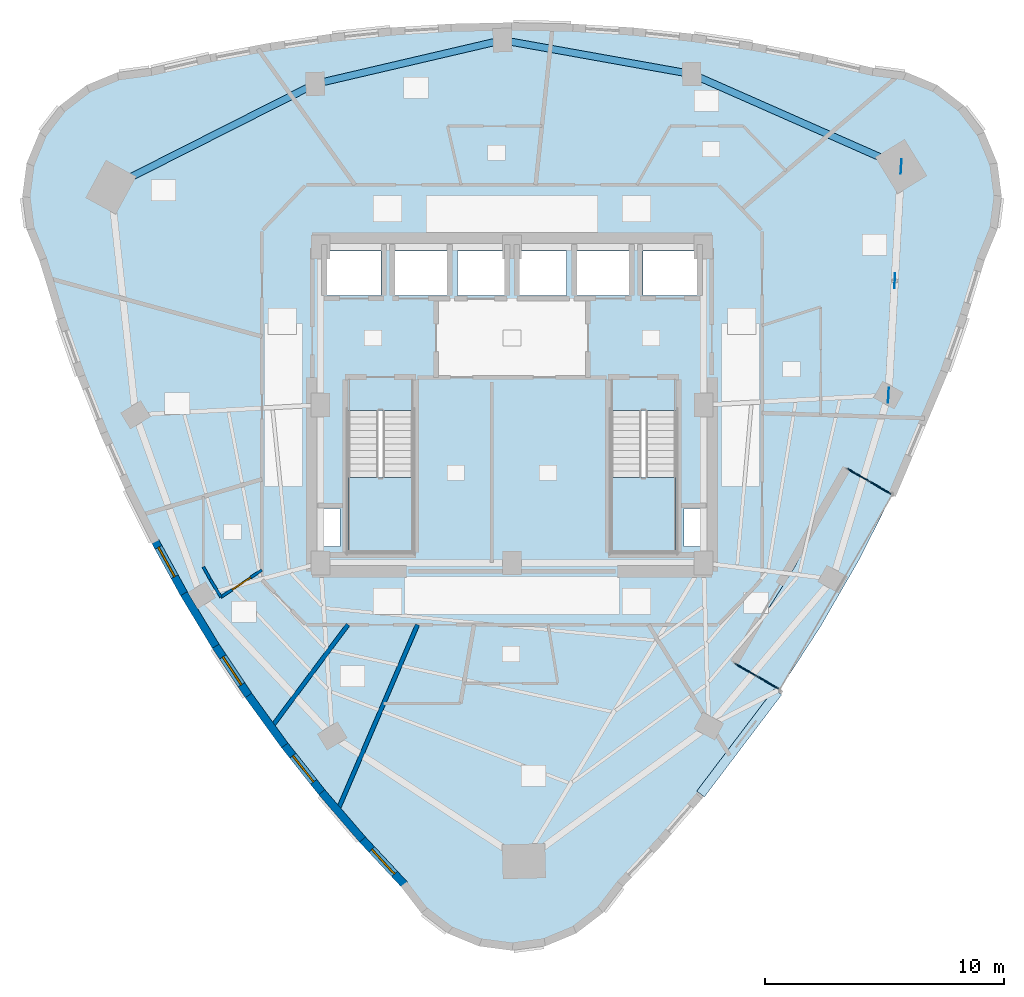
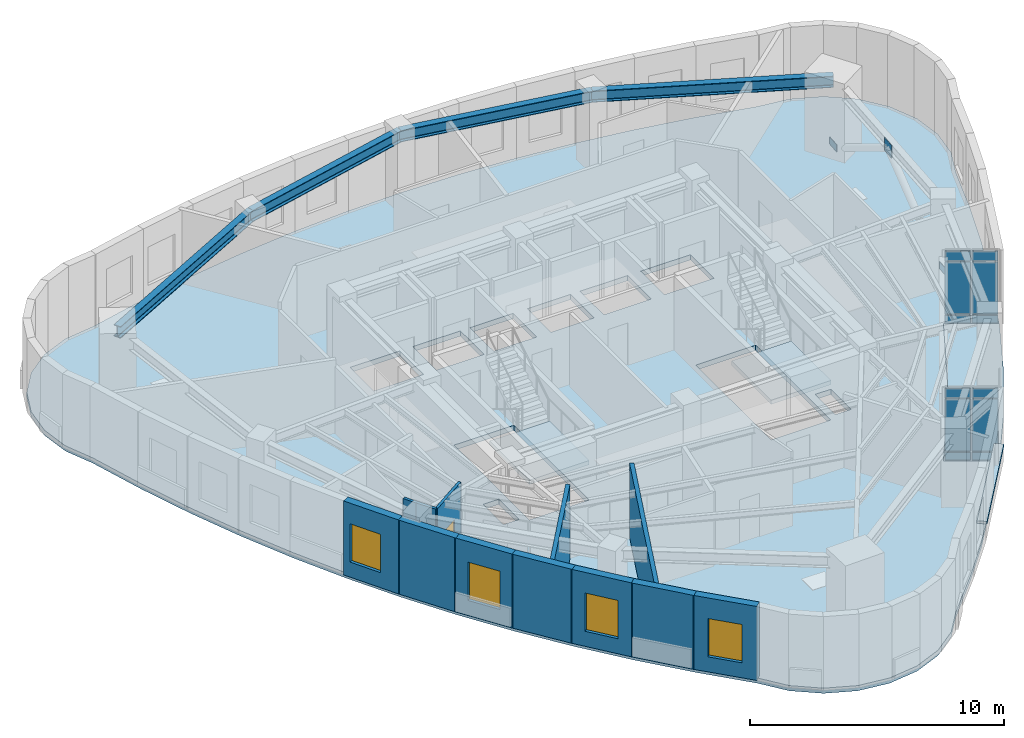
# One storey, part 5 of 12: 16 plates, 12 walls, 4 beams, 4 slabs, 4 windows, 1 door, 5 openings, 4 elements without a shape of their own.
"""IFC4 building model written with IfcOpenShell, lengths in metres."""

from ifc_helpers import new_model, si_unit, direction, frame, frame_2d, origin, origin_2d, place, context, subcontext, project, spatial, polyline, rectangle, i_section, outline, extrude, material, layer, layer_set, material_profile, profile_set, type_object, element, fill, aggregate, save


model = new_model("IFC4")

# Units and contexts
model_context = context("Model", 3, precision=1e-05, world=origin(), true_north=direction((0.0, 1.0)))
body_context = subcontext(model_context, "Body", "Model", "MODEL_VIEW")
ifc_project = project(units=[si_unit("LENGTHUNIT", "METRE"), si_unit("AREAUNIT", "SQUARE_METRE"), si_unit("VOLUMEUNIT", "CUBIC_METRE"), si_unit("PLANEANGLEUNIT", "RADIAN"), si_unit("MASSUNIT", "GRAM", prefix="KILO")], contexts=[model_context])

# Site, building, storey
site_placement = place(None, origin())
site = spatial("IfcSite", under=ifc_project, at=site_placement, CompositionType="ELEMENT")
building_placement = place(site_placement, origin())
building = spatial("IfcBuilding", under=site, at=building_placement, Name="Ndelora Gate Hotel", CompositionType="ELEMENT")
storey_placement = place(building_placement, frame((0.0, 0.0, 213.14990234375)))
storey = spatial("IfcBuildingStorey", under=building, at=storey_placement, Name="L53", CompositionType="ELEMENT", Elevation=213.14990234375)

# Beams
ifc_material_1 = material(Name="Steel S355", Category="steel")
ifc_material_profile = material_profile(ifc_material_1, i_section(OverallWidth=0.300048828125, OverallDepth=0.550048828125, WebThickness=0.014892578125, FlangeThickness=0.029052734375, FilletRadius=0.027099609375, at=origin_2d()), Name="HEB 550")
ifc_profile_set = profile_set([ifc_material_profile], Name="Steel S355")
beam_type = type_object("IfcBeamType", Name="BM-RING-550", PredefinedType="SPANDREL", material=ifc_profile_set)
beam_1_placement = place(storey_placement, frame((16.26025390625, 9.96435546875, 3.275146484375), z_axis=(-0.914807449647, 0.403890245078, 0.0), x_axis=(-0.403890245078, -0.914807449647, 0.0)))
element("IfcBeam", 1, at=beam_1_placement, inside=storey, type_object=beam_type, Name="L53 Perimeter Spandrel Girder 9", PredefinedType="SPANDREL", context=body_context, shape_type="SweptSolid", body=[
    extrude(i_section(OverallWidth=0.300048828125, OverallDepth=0.550048828125, WebThickness=0.014892578125, FlangeThickness=0.029052734375, FilletRadius=0.027099609375, at=origin_2d()), origin(), (0.0, 0.0, 1.0), 9.56689453125),
])
for number, where, z_axis, x_axis, name in (
    (2, (7.50830078125, 13.828369140625, 3.275146484375), (-0.984373619655, 0.176092523767, 0.0), (-0.176092523767, -0.984373619655, 0.0), "L53 Perimeter Spandrel Girder 10"),
    (3, (-0.399169921875, 15.242919921875, 3.275146484375), (-0.973809142107, -0.227367004529, 0.0), (0.227367004529, -0.973809142107, 0.0), "L53 Perimeter Spandrel Girder 11"),
):
    element("IfcBeam", number, at=place(storey_placement, frame(where, z_axis=z_axis, x_axis=x_axis)), inside=storey, type_object=beam_type, Name=name, PredefinedType="SPANDREL", context=body_context, shape_type="SweptSolid", body=[
        extrude(i_section(OverallWidth=0.300048828125, OverallDepth=0.550048828125, WebThickness=0.014892578125, FlangeThickness=0.029052734375, FilletRadius=0.027099609375, at=origin_2d()), origin(), (0.0, 0.0, 1.0), 8.032958984375),
    ])
beam_2_placement = place(storey_placement, frame((-8.2216796875, 13.41650390625, 3.275146484375), z_axis=(-0.89241242978, -0.451220628045, 0.0), x_axis=(0.451220628045, -0.89241242978, 0.0)))
element("IfcBeam", 4, at=beam_2_placement, inside=storey, type_object=beam_type, Name="L53 Perimeter Spandrel Girder 12", PredefinedType="SPANDREL", context=body_context, shape_type="SweptSolid", body=[
    extrude(i_section(OverallWidth=0.300048828125, OverallDepth=0.550048828125, WebThickness=0.014892578125, FlangeThickness=0.029052734375, FilletRadius=0.027099609375, at=origin_2d()), origin(), (0.0, 0.0, 1.0), 9.567138671875),
])

# Curtain wall, plates
ifc_material_2 = material(Name="Bronze Anodised Unitised Aluminium and Low-E Glass", Category="aluminium")
ifc_layer_1 = layer(ifc_material_2, 0.199951171875)
ifc_layer_set_1 = layer_set([ifc_layer_1], Name="Bronze Anodised Unitised Aluminium and Low-E Glass")
curtain_wall_type = type_object("IfcCurtainWallType", Name="CW-SYS-3", PredefinedType="NOTDEFINED", material=ifc_layer_set_1)
curtain_wall_1_placement = place(storey_placement, origin())
curtain_wall_1 = element("IfcCurtainWall", 5, at=curtain_wall_1_placement, inside=storey, type_object=curtain_wall_type, Name="L53 Sky-Garden Loggia Side Curtain Wall CW3-1", PredefinedType="NOTDEFINED")
ifc_material_3 = material(Name="Solar-Control Low-E Insulated Glazing", Category="glass")
ifc_layer_2 = layer(ifc_material_3, 0.048095703125)
ifc_layer_set_2 = layer_set([ifc_layer_2], Name="Solar-Control Low-E Insulated Glazing")
plate_type_1 = type_object("IfcPlateType", Name="PL-CW-GLZ36", PredefinedType="CURTAIN_PANEL", material=ifc_layer_set_2)
plate_1_placement = place(storey_placement, frame((9.77099609375, -11.068359375, 0.05908203125), z_axis=(0.0, 0.0, 1.0), x_axis=(0.866030416344, -0.499991317892, 0.0)))
plate_1 = element("IfcPlate", 6, at=plate_1_placement, type_object=plate_type_1, Name="CW3 panel 1.1", PredefinedType="CURTAIN_PANEL", context=body_context, shape_type="SweptSolid", body=[
    extrude(rectangle(XDim=1.014404296875, YDim=0.048095703125, at=origin_2d()), origin(), (0.0, 0.0, 1.0), 0.364501953125),
])
plate_2_placement = place(storey_placement, frame((9.77099609375, -11.068359375, 0.4765625), z_axis=(0.0, 0.0, 1.0), x_axis=(0.866030416344, -0.499991317892, 0.0)))
plate_2 = element("IfcPlate", 7, at=plate_2_placement, type_object=plate_type_1, Name="CW3 panel 1.2", PredefinedType="CURTAIN_PANEL", context=body_context, shape_type="SweptSolid", body=[
    extrude(rectangle(XDim=1.014404296875, YDim=0.048095703125, at=origin_2d()), origin(), (0.0, 0.0, 1.0), 2.4970703125),
])
plate_3_placement = place(storey_placement, frame((9.77099609375, -11.068359375, 3.0263671875), z_axis=(0.0, 0.0, 1.0), x_axis=(0.866030416344, -0.499991317892, 0.0)))
plate_3 = element("IfcPlate", 8, at=plate_3_placement, type_object=plate_type_1, Name="CW3 panel 1.3", PredefinedType="CURTAIN_PANEL", context=body_context, shape_type="SweptSolid", body=[
    extrude(rectangle(XDim=1.014404296875, YDim=0.048095703125, at=origin_2d()), origin(), (0.0, 0.0, 1.0), 0.464599609375),
])
plate_4_placement = place(storey_placement, frame((10.695556640625, -11.602294921875, 0.05908203125), z_axis=(0.0, 0.0, 1.0), x_axis=(0.866030416344, -0.499991317892, 0.0)))
plate_4 = element("IfcPlate", 9, at=plate_4_placement, type_object=plate_type_1, Name="CW3 panel 2.1", PredefinedType="CURTAIN_PANEL", context=body_context, shape_type="SweptSolid", body=[
    extrude(rectangle(XDim=1.014404296875, YDim=0.048095703125, at=origin_2d()), origin(), (0.0, 0.0, 1.0), 0.364501953125),
])
plate_5_placement = place(storey_placement, frame((10.695556640625, -11.602294921875, 0.4765625), z_axis=(0.0, 0.0, 1.0), x_axis=(0.866030416344, -0.499991317892, 0.0)))
plate_5 = element("IfcPlate", 10, at=plate_5_placement, type_object=plate_type_1, Name="CW3 panel 2.2", PredefinedType="CURTAIN_PANEL", context=body_context, shape_type="SweptSolid", body=[
    extrude(rectangle(XDim=1.014404296875, YDim=0.048095703125, at=origin_2d()), origin(), (0.0, 0.0, 1.0), 2.4970703125),
])
plate_6_placement = place(storey_placement, frame((10.695556640625, -11.602294921875, 3.0263671875), z_axis=(0.0, 0.0, 1.0), x_axis=(0.866030416344, -0.499991317892, 0.0)))
plate_6 = element("IfcPlate", 11, at=plate_6_placement, type_object=plate_type_1, Name="CW3 panel 2.3", PredefinedType="CURTAIN_PANEL", context=body_context, shape_type="SweptSolid", body=[
    extrude(rectangle(XDim=1.014404296875, YDim=0.048095703125, at=origin_2d()), origin(), (0.0, 0.0, 1.0), 0.464599609375),
])
aggregate(curtain_wall_1, [plate_1, plate_2, plate_3, plate_4, plate_5, plate_6])

curtain_wall_2_placement = place(storey_placement, origin())
curtain_wall_2 = element("IfcCurtainWall", 12, at=curtain_wall_2_placement, inside=storey, type_object=curtain_wall_type, Name="L53 Sky-Garden Loggia Side Curtain Wall CW3-2", PredefinedType="NOTDEFINED")
plate_7_placement = place(storey_placement, frame((15.3955078125, -3.46142578125, 0.05908203125), z_axis=(0.0, 0.0, 1.0), x_axis=(-0.866030416344, 0.499991317892, 0.0)))
plate_7 = element("IfcPlate", 13, at=plate_7_placement, type_object=plate_type_1, Name="CW3 panel 1.1", PredefinedType="CURTAIN_PANEL", context=body_context, shape_type="SweptSolid", body=[
    extrude(rectangle(XDim=1.014404296875, YDim=0.048095703125, at=origin_2d()), origin(), (0.0, 0.0, 1.0), 0.364501953125),
])
plate_8_placement = place(storey_placement, frame((15.3955078125, -3.46142578125, 0.4765625), z_axis=(0.0, 0.0, 1.0), x_axis=(-0.866030416344, 0.499991317892, 0.0)))
plate_8 = element("IfcPlate", 14, at=plate_8_placement, type_object=plate_type_1, Name="CW3 panel 1.2", PredefinedType="CURTAIN_PANEL", context=body_context, shape_type="SweptSolid", body=[
    extrude(rectangle(XDim=1.014404296875, YDim=0.048095703125, at=origin_2d()), origin(), (0.0, 0.0, 1.0), 2.4970703125),
])
plate_9_placement = place(storey_placement, frame((15.3955078125, -3.46142578125, 3.0263671875), z_axis=(0.0, 0.0, 1.0), x_axis=(-0.866030416344, 0.499991317892, 0.0)))
plate_9 = element("IfcPlate", 15, at=plate_9_placement, type_object=plate_type_1, Name="CW3 panel 1.3", PredefinedType="CURTAIN_PANEL", context=body_context, shape_type="SweptSolid", body=[
    extrude(rectangle(XDim=1.014404296875, YDim=0.048095703125, at=origin_2d()), origin(), (0.0, 0.0, 1.0), 0.464599609375),
])
plate_10_placement = place(storey_placement, frame((14.470947265625, -2.927734375, 0.05908203125), z_axis=(0.0, 0.0, 1.0), x_axis=(-0.866030416344, 0.499991317892, 0.0)))
plate_10 = element("IfcPlate", 16, at=plate_10_placement, type_object=plate_type_1, Name="CW3 panel 2.1", PredefinedType="CURTAIN_PANEL", context=body_context, shape_type="SweptSolid", body=[
    extrude(rectangle(XDim=1.014404296875, YDim=0.048095703125, at=origin_2d()), origin(), (0.0, 0.0, 1.0), 0.364501953125),
])
plate_11_placement = place(storey_placement, frame((14.470947265625, -2.927734375, 0.4765625), z_axis=(0.0, 0.0, 1.0), x_axis=(-0.866030416344, 0.499991317892, 0.0)))
plate_11 = element("IfcPlate", 17, at=plate_11_placement, type_object=plate_type_1, Name="CW3 panel 2.2", PredefinedType="CURTAIN_PANEL", context=body_context, shape_type="SweptSolid", body=[
    extrude(rectangle(XDim=1.014404296875, YDim=0.048095703125, at=origin_2d()), origin(), (0.0, 0.0, 1.0), 2.4970703125),
])
plate_12_placement = place(storey_placement, frame((14.470947265625, -2.927734375, 3.0263671875), z_axis=(0.0, 0.0, 1.0), x_axis=(-0.866030416344, 0.499991317892, 0.0)))
plate_12 = element("IfcPlate", 18, at=plate_12_placement, type_object=plate_type_1, Name="CW3 panel 2.3", PredefinedType="CURTAIN_PANEL", context=body_context, shape_type="SweptSolid", body=[
    extrude(rectangle(XDim=1.014404296875, YDim=0.048095703125, at=origin_2d()), origin(), (0.0, 0.0, 1.0), 0.464599609375),
])
aggregate(curtain_wall_2, [plate_7, plate_8, plate_9, plate_10, plate_11, plate_12])

# Plates
ifc_layer_3 = layer(ifc_material_1, 0.02001953125)
ifc_layer_set_3 = layer_set([ifc_layer_3], Name="Steel S355")
plate_type_2 = type_object("IfcPlateType", Name="PL-NODE-VN1", PredefinedType="USERDEFINED", material=ifc_layer_set_3)
for number, where, z_axis, x_axis, name in (
    (19, (15.72998046875, 0.411865234375, -0.2900390625), (0.0, 0.0, 1.0), (0.055472980025, 0.998460188734, 0.0), "Node gusset cap plate VN1"),
    (20, (16.26025390625, 9.96435546875, -0.2900390625), (0.0, 0.0, 1.0), (0.055472980025, 0.998460188734, 0.0), "Node gusset cap plate VN1"),
    (21, (15.9951171875, 5.18798828125, 2.68994140625), (0.0, 0.0, 1.0), (0.055472980025, 0.998460188734, 0.0), "Node gusset cap plate VN1"),
):
    element("IfcPlate", number, at=place(storey_placement, frame(where, z_axis=z_axis, x_axis=x_axis)), inside=storey, type_object=plate_type_2, Name=name, ObjectType="GUSSET_PLATE", PredefinedType="USERDEFINED", context=body_context, shape_type="SweptSolid", body=[
        extrude(rectangle(XDim=0.6201171875, YDim=0.02001953125, at=origin_2d()), origin(), (0.0, 0.0, 1.0), 0.6201171875),
    ])
ifc_material_4 = material(Name="Precast concrete C40/50", Category="concrete")
ifc_layer_4 = layer(ifc_material_4, 0.125)
ifc_layer_set_4 = layer_set([ifc_layer_4], Name="Precast concrete C40/50")
plate_type_3 = type_object("IfcPlateType", Name="PL-SILL-120", PredefinedType="USERDEFINED", material=ifc_layer_set_4)
plate_13_placement = place(storey_placement, frame((9.494384765625, -14.120849609375, 0.78759765625), z_axis=(0.0, 0.0, 1.0), x_axis=(0.603347183213, 0.797478637023, 0.0)))
element("IfcPlate", 22, at=plate_13_placement, inside=storey, type_object=plate_type_3, Name="L53 Streamline Precast Ribbon Sill 31", ObjectType="RIBBON_SILL", PredefinedType="USERDEFINED", context=body_context, shape_type="SweptSolid", body=[
    extrude(rectangle(XDim=5.35693359375, YDim=0.39990234375, at=origin_2d()), origin(), (0.0, 0.0, 1.0), 0.125),
])

# Stair, slab
stair_type = type_object("IfcStairType", Name="STR-DOG-CORE", PredefinedType="HALF_TURN_STAIR", material=ifc_material_4)
stair_1_placement = place(storey_placement, origin())
stair_1 = element("IfcStair", 23, at=stair_1_placement, inside=storey, type_object=stair_type, Name="L53 Protected Core Exit Stair ST4", PredefinedType="HALF_TURN_STAIR")
ifc_layer_5 = layer(ifc_material_4, 0.219970703125)
ifc_layer_set_5 = layer_set([ifc_layer_5], Name="Precast concrete C40/50")
slab_type_1 = type_object("IfcSlabType", Name="SL-LAND-220", PredefinedType="LANDING", material=ifc_layer_set_5)
slab_1_placement = place(storey_placement, frame((0.0, 0.0, 1.7001953125)))
slab_1 = element("IfcSlab", 24, at=slab_1_placement, type_object=slab_type_1, Name="ST4 landing 1", PredefinedType="LANDING", context=body_context, shape_type="SweptSolid", body=[
    extrude(outline(polyline([(-6.85009765625, -3.030029296875), (-6.85009765625, -6.14990234375), (-4.1298828125, -6.14990234375), (-4.1298828125, -3.030029296875), (-6.85009765625, -3.030029296875)])), origin(), (0.0, 0.0, 1.0), 0.199951171875),
])
aggregate(stair_1, [slab_1])

stair_2_placement = place(storey_placement, origin())
stair_2 = element("IfcStair", 25, at=stair_2_placement, inside=storey, type_object=stair_type, Name="L53 Protected Core Exit Stair ST5", PredefinedType="HALF_TURN_STAIR")
slab_2_placement = place(storey_placement, frame((0.0, 0.0, 1.7001953125)))
slab_2 = element("IfcSlab", 26, at=slab_2_placement, type_object=slab_type_1, Name="ST5 landing 1", PredefinedType="LANDING", context=body_context, shape_type="SweptSolid", body=[
    extrude(outline(polyline([(4.1298828125, -3.030029296875), (4.1298828125, -6.14990234375), (6.85009765625, -6.14990234375), (6.85009765625, -3.030029296875), (4.1298828125, -3.030029296875)])), origin(), (0.0, 0.0, 1.0), 0.199951171875),
])
aggregate(stair_2, [slab_2])

# Slabs
ifc_layer_6 = layer(ifc_material_4, 0.239990234375)
ifc_layer_set_6 = layer_set([ifc_layer_6], Name="Precast concrete C40/50")
slab_type_2 = type_object("IfcSlabType", Name="SL-TER-240", PredefinedType="FLOOR", material=ifc_layer_set_6)
slab_3_placement = place(storey_placement, frame((0.0, 0.0, -0.239990234375)))
element("IfcSlab", 27, at=slab_3_placement, inside=storey, type_object=slab_type_2, Name="L53 Sky Garden Loggia Terrace Slab", PredefinedType="FLOOR", context=body_context, shape_type="SweptSolid", body=[
    extrude(outline(polyline([(9.280517578125, -10.785400390625), (11.185791015625, -11.88525390625), (12.8779296875, -9.2802734375), (14.47607421875, -6.512451171875), (15.885986328125, -3.74462890625), (13.980712890625, -2.64453125), (11.790283203125, -6.80712890625), (9.280517578125, -10.785400390625)])), origin(), (0.0, 0.0, 1.0), 0.239990234375),
])
ifc_material_5 = material(Name="Concrete C40/50", Category="concrete")
ifc_layer_7 = layer(ifc_material_5, 0.25)
ifc_layer_set_7 = layer_set([ifc_layer_7], Name="Concrete C40/50")
slab_type_3 = type_object("IfcSlabType", Name="SL-TWR-250", PredefinedType="FLOOR", material=ifc_layer_set_7)
slab_4_placement = place(storey_placement, frame((0.0, 0.0, -0.25)))
element("IfcSlab", 28, at=slab_4_placement, inside=storey, type_object=slab_type_3, Name="L53 Structural Floor Slab", PredefinedType="FLOOR", context=body_context, shape_type="SweptSolid", body=[
    extrude(outline(polyline([(-15.09326171875, 13.9140625), (-16.439208984375, 13.737060546875), (-17.693359375, 13.217529296875), (-18.770263671875, 12.39111328125), (-19.5966796875, 11.314208984375), (-20.1162109375, 10.06005859375), (-20.293212890625, 8.714111328125), (-20.1162109375, 7.368408203125), (-19.5966796875, 6.114013671875), (-18.841796875, 3.645263671875), (-17.9951171875, 1.229248046875), (-17.057373046875, -1.134033203125), (-16.0283203125, -3.4443359375), (-14.907470703125, -5.7021484375), (-13.6953125, -7.906982421875), (-12.39208984375, -10.05908203125), (-10.9970703125, -12.15869140625), (-9.5107421875, -14.205078125), (-7.93310546875, -16.198974609375), (-6.263916015625, -18.139892578125), (-4.50341796875, -20.0283203125), (-3.677001953125, -21.105224609375), (-2.60009765625, -21.931640625), (-1.345947265625, -22.451171875), (0.0, -22.62841796875), (1.345947265625, -22.451171875), (2.60009765625, -21.931640625), (3.677001953125, -21.105224609375), (4.50341796875, -20.0283203125), (6.1953125, -18.216552734375), (7.802978515625, -16.356201171875), (11.185791015625, -11.88525390625), (9.280517578125, -10.785400390625), (11.790283203125, -6.80712890625), (13.980712890625, -2.64453125), (15.885986328125, -3.74462890625), (18.06640625, 1.420654296875), (18.87353515625, 3.7431640625), (19.5966796875, 6.114013671875), (20.1162109375, 7.368408203125), (20.293212890625, 8.714111328125), (20.1162109375, 10.06005859375), (19.5966796875, 11.314208984375), (18.770263671875, 12.39111328125), (17.693359375, 13.217529296875), (16.439208984375, 13.737060546875), (15.09326171875, 13.9140625), (12.577880859375, 14.49462890625), (10.062255859375, 14.9697265625), (7.546630859375, 15.339111328125), (5.031005859375, 15.60302734375), (2.515625, 15.761474609375), (0.0, 15.814208984375), (-2.515625, 15.761474609375), (-5.031005859375, 15.60302734375), (-7.546630859375, 15.339111328125), (-10.062255859375, 14.9697265625), (-12.577880859375, 14.49462890625), (-15.09326171875, 13.9140625)]), holes=[polyline([(-6.85009765625, -0.22998046875), (-6.85009765625, -6.14990234375), (-4.1298828125, -6.14990234375), (-4.1298828125, -0.22998046875), (-6.85009765625, -0.22998046875)]), polyline([(4.1298828125, -0.22998046875), (4.1298828125, -6.14990234375), (6.85009765625, -6.14990234375), (6.85009765625, -0.22998046875), (4.1298828125, -0.22998046875)]), polyline([(-7.72998046875, 4.570068359375), (-5.469970703125, 4.570068359375), (-5.469970703125, 6.429931640625), (-7.72998046875, 6.429931640625), (-7.72998046875, 4.570068359375)]), polyline([(5.469970703125, 4.570068359375), (7.72998046875, 4.570068359375), (7.72998046875, 6.429931640625), (5.469970703125, 6.429931640625), (5.469970703125, 4.570068359375)]), polyline([(-4.8798828125, 4.570068359375), (-2.719970703125, 4.570068359375), (-2.719970703125, 6.429931640625), (-4.8798828125, 6.429931640625), (-4.8798828125, 4.570068359375)]), polyline([(2.719970703125, 4.570068359375), (4.8798828125, 4.570068359375), (4.8798828125, 6.429931640625), (2.719970703125, 6.429931640625), (2.719970703125, 4.570068359375)]), polyline([(-2.280029296875, 4.570068359375), (-0.320068359375, 4.570068359375), (-0.320068359375, 6.429931640625), (-2.280029296875, 6.429931640625), (-2.280029296875, 4.570068359375)]), polyline([(0.320068359375, 4.570068359375), (2.280029296875, 4.570068359375), (2.280029296875, 6.429931640625), (0.320068359375, 6.429931640625), (0.320068359375, 4.570068359375)]), polyline([(-7.89990234375, -5.919921875), (-7.179931640625, -5.919921875), (-7.179931640625, -4.320068359375), (-7.89990234375, -4.320068359375), (-7.89990234375, -5.919921875)]), polyline([(7.179931640625, -5.919921875), (7.89990234375, -5.919921875), (7.89990234375, -4.320068359375), (7.179931640625, -4.320068359375), (7.179931640625, -5.919921875)])]), origin(), (0.0, 0.0, 1.0), 0.25),
])

# Walls
ifc_material_6 = material(Name="Acoustic Double-Stud Gypsum Assembly", Category="gypsum")
ifc_layer_8 = layer(ifc_material_6, 0.179931640625)
ifc_layer_set_8 = layer_set([ifc_layer_8], Name="Acoustic Double-Stud Gypsum Assembly")
wall_type_1 = type_object("IfcWallType", Name="WL-ACOUST-180", PredefinedType="PARTITIONING", material=ifc_layer_set_8)
wall_1_placement = place(storey_placement, frame((-6.851318359375, -9.179931640625, 0.0), z_axis=(0.0, 0.0, 1.0), x_axis=(-0.598105864396, -0.801417104244, 0.0)))
element("IfcWall", 29, at=wall_1_placement, inside=storey, type_object=wall_type_1, Name="L53 Interior Wall IW-3", PredefinedType="PARTITIONING", context=body_context, shape_type="SweptSolid", body=[
    extrude(rectangle(XDim=5.345947265625, YDim=0.179931640625, at=frame_2d((2.6728515625, 0.0))), origin(), (0.0, 0.0, 1.0), 3.550048828125),
])
wall_2_placement = place(storey_placement, frame((-3.947021484375, -9.179931640625, 0.0), z_axis=(0.0, 0.0, 1.0), x_axis=(-0.394985116266, -0.918687519197, 0.0)))
element("IfcWall", 30, at=wall_2_placement, inside=storey, type_object=wall_type_1, Name="L53 Interior Wall IW-3", PredefinedType="PARTITIONING", context=body_context, shape_type="SweptSolid", body=[
    extrude(rectangle(XDim=8.45751953125, YDim=0.179931640625, at=frame_2d((4.228759765625, 0.0))), origin(), (0.0, 0.0, 1.0), 3.550048828125),
])

# Wall, opening, window
ifc_material_7 = material(Name="Clay Brick Masonry", Category="masonry")
ifc_layer_9 = layer(ifc_material_7, 0.330078125)
ifc_layer_set_9 = layer_set([ifc_layer_9], Name="Clay Brick Masonry")
wall_type_2 = type_object("IfcWallType", Name="WL-BRICK-330", PredefinedType="SOLIDWALL", material=ifc_layer_set_9)
wall_3_placement = place(storey_placement, frame((-13.683349609375, -7.928955078125, 0.0), z_axis=(0.0, 0.0, 1.0), x_axis=(-0.481695948565, 0.87633841245, 0.0)))
wall_3 = element("IfcWall", 31, at=wall_3_placement, inside=storey, type_object=wall_type_2, Name="L53 Tower Brick Pier-and-Spandrel Wall TWR-14", PredefinedType="SOLIDWALL", context=body_context, shape_type="SweptSolid", body=[
    extrude(rectangle(XDim=2.566162109375, YDim=0.330078125, at=frame_2d((1.283203125, 0.0))), origin(), (0.0, 0.0, 1.0), 3.550048828125),
])
opening_1_placement = place(wall_3_placement, frame((0.860107421875, 0.0, 0.719970703125)))
opening_1 = element("IfcOpeningElement", 32, at=opening_1_placement, cuts=wall_3, Name="Opening W02", PredefinedType="OPENING", context=body_context, shape_type="SweptSolid", body=[
    extrude(rectangle(XDim=1.39990234375, YDim=1.840087890625, at=frame_2d((0.699951171875, 0.919921875))), frame((0.0, 0.175048828125, 0.0), z_axis=(0.0, -1.0, 0.0), x_axis=(1.0, 0.0, 0.0)), (0.0, 0.0, 1.0), 0.35009765625),
])
ifc_material_8 = material(Name="Insulated Low-E Double Glazing in Bronze Aluminium Frame", Category="aluminium")
window_type = type_object("IfcWindowType", Name="WN-DEEP-1400", PartitioningType="SINGLE_PANEL", PredefinedType="WINDOW", material=ifc_material_8)
window_1_placement = place(opening_1_placement, origin())
window_1 = element("IfcWindow", 33, at=window_1_placement, inside=storey, type_object=window_type, Name="L53 Deep-Set Brick-Pier Window W02", OverallHeight=1.840087890625, OverallWidth=1.39990234375, PartitioningType="SINGLE_PANEL", PredefinedType="WINDOW", context=body_context, shape_type="SweptSolid", body=[
    extrude(rectangle(XDim=1.39990234375, YDim=1.840087890625, at=frame_2d((0.699951171875, 0.919921875))), frame((0.0, 0.030029296875, 0.0), z_axis=(0.0, -1.0, 0.0), x_axis=(1.0, 0.0, 0.0)), (0.0, 0.0, 1.0), 0.06005859375),
])
fill(opening_1, window_1)

# Wall
wall_4_placement = place(storey_placement, frame((-12.37890625, -10.08056640625, 0.0), z_axis=(0.0, 0.0, 1.0), x_axis=(-0.518128806216, 0.855302601521, 0.0)))
element("IfcWall", 34, at=wall_4_placement, inside=storey, type_object=wall_type_2, Name="L53 Tower Brick Pier-and-Spandrel Wall TWR-15", PredefinedType="SOLIDWALL", context=body_context, shape_type="SweptSolid", body=[
    extrude(rectangle(XDim=2.566162109375, YDim=0.330078125, at=frame_2d((1.283203125, 0.0))), origin(), (0.0, 0.0, 1.0), 3.550048828125),
])

# Wall, opening, window
wall_5_placement = place(storey_placement, frame((-10.9833984375, -12.179443359375, 0.0), z_axis=(0.0, 0.0, 1.0), x_axis=(-0.553340543582, 0.832955126539, 0.0)))
wall_5 = element("IfcWall", 35, at=wall_5_placement, inside=storey, type_object=wall_type_2, Name="L53 Tower Brick Pier-and-Spandrel Wall TWR-16", PredefinedType="SOLIDWALL", context=body_context, shape_type="SweptSolid", body=[
    extrude(rectangle(XDim=2.570556640625, YDim=0.330078125, at=frame_2d((1.28515625, 0.0))), origin(), (0.0, 0.0, 1.0), 3.550048828125),
])
opening_2_placement = place(wall_5_placement, frame((0.585205078125, 0.0, 0.719970703125)))
opening_2 = element("IfcOpeningElement", 36, at=opening_2_placement, cuts=wall_5, Name="Opening W02", PredefinedType="OPENING", context=body_context, shape_type="SweptSolid", body=[
    extrude(rectangle(XDim=1.39990234375, YDim=1.840087890625, at=frame_2d((0.699951171875, 0.919921875))), frame((0.0, 0.175048828125, 0.0), z_axis=(0.0, -1.0, 0.0), x_axis=(1.0, 0.0, 0.0)), (0.0, 0.0, 1.0), 0.35009765625),
])
window_2_placement = place(opening_2_placement, origin())
window_2 = element("IfcWindow", 37, at=window_2_placement, inside=storey, type_object=window_type, Name="L53 Deep-Set Brick-Pier Window W02", OverallHeight=1.840087890625, OverallWidth=1.39990234375, PartitioningType="SINGLE_PANEL", PredefinedType="WINDOW", context=body_context, shape_type="SweptSolid", body=[
    extrude(rectangle(XDim=1.39990234375, YDim=1.840087890625, at=frame_2d((0.699951171875, 0.919921875))), frame((0.0, 0.030029296875, 0.0), z_axis=(0.0, -1.0, 0.0), x_axis=(1.0, 0.0, 0.0)), (0.0, 0.0, 1.0), 0.06005859375),
])
fill(opening_2, window_2)

# Wall
wall_6_placement = place(storey_placement, frame((-9.49609375, -14.225341796875, 0.0), z_axis=(0.0, 0.0, 1.0), x_axis=(-0.587631253471, 0.809128858677, 0.0)))
element("IfcWall", 38, at=wall_6_placement, inside=storey, type_object=wall_type_2, Name="L53 Tower Brick Pier-and-Spandrel Wall TWR-17", PredefinedType="SOLIDWALL", context=body_context, shape_type="SweptSolid", body=[
    extrude(rectangle(XDim=2.5791015625, YDim=0.330078125, at=frame_2d((1.28955078125, 0.0))), origin(), (0.0, 0.0, 1.0), 3.550048828125),
])

# Wall, opening, window
wall_7_placement = place(storey_placement, frame((-7.91748046875, -16.218505859375, 0.0), z_axis=(0.0, 0.0, 1.0), x_axis=(-0.62057509915, 0.784147018304, 0.0)))
wall_7 = element("IfcWall", 39, at=wall_7_placement, inside=storey, type_object=wall_type_2, Name="L53 Tower Brick Pier-and-Spandrel Wall TWR-18", PredefinedType="SOLIDWALL", context=body_context, shape_type="SweptSolid", body=[
    extrude(rectangle(XDim=2.592529296875, YDim=0.330078125, at=frame_2d((1.29638671875, 0.0))), origin(), (0.0, 0.0, 1.0), 3.550048828125),
])
opening_3_placement = place(wall_7_placement, frame((0.59619140625, 0.0, 0.719970703125)))
opening_3 = element("IfcOpeningElement", 40, at=opening_3_placement, cuts=wall_7, Name="Opening W02", PredefinedType="OPENING", context=body_context, shape_type="SweptSolid", body=[
    extrude(rectangle(XDim=1.39990234375, YDim=1.840087890625, at=frame_2d((0.699951171875, 0.919921875))), frame((0.0, 0.175048828125, 0.0), z_axis=(0.0, -1.0, 0.0), x_axis=(1.0, 0.0, 0.0)), (0.0, 0.0, 1.0), 0.35009765625),
])
window_3_placement = place(opening_3_placement, origin())
window_3 = element("IfcWindow", 41, at=window_3_placement, inside=storey, type_object=window_type, Name="L53 Deep-Set Brick-Pier Window W02", OverallHeight=1.840087890625, OverallWidth=1.39990234375, PartitioningType="SINGLE_PANEL", PredefinedType="WINDOW", context=body_context, shape_type="SweptSolid", body=[
    extrude(rectangle(XDim=1.39990234375, YDim=1.840087890625, at=frame_2d((0.699951171875, 0.919921875))), frame((0.0, 0.030029296875, 0.0), z_axis=(0.0, -1.0, 0.0), x_axis=(1.0, 0.0, 0.0)), (0.0, 0.0, 1.0), 0.06005859375),
])
fill(opening_3, window_3)

# Wall
wall_8_placement = place(storey_placement, frame((-6.24755859375, -18.158935546875, 0.0), z_axis=(0.0, 0.0, 1.0), x_axis=(-0.651976891987, 0.758238835932, 0.0)))
element("IfcWall", 42, at=wall_8_placement, inside=storey, type_object=wall_type_2, Name="L53 Tower Brick Pier-and-Spandrel Wall TWR-19", PredefinedType="SOLIDWALL", context=body_context, shape_type="SweptSolid", body=[
    extrude(rectangle(XDim=2.610107421875, YDim=0.330078125, at=frame_2d((1.30517578125, 0.0))), origin(), (0.0, 0.0, 1.0), 3.550048828125),
])

# Wall, opening, window
wall_9_placement = place(storey_placement, frame((-4.486328125, -20.046630859375, 0.0), z_axis=(0.0, 0.0, 1.0), x_axis=(-0.68190500199, 0.731440748291, 0.0)))
wall_9 = element("IfcWall", 43, at=wall_9_placement, inside=storey, type_object=wall_type_2, Name="L53 Tower Brick Pier-and-Spandrel Wall TWR-20", PredefinedType="SOLIDWALL", context=body_context, shape_type="SweptSolid", body=[
    extrude(rectangle(XDim=2.6318359375, YDim=0.330078125, at=frame_2d((1.31591796875, 0.0))), origin(), (0.0, 0.0, 1.0), 3.550048828125),
])
opening_4_placement = place(wall_9_placement, frame((0.615966796875, 0.0, 0.719970703125)))
opening_4 = element("IfcOpeningElement", 44, at=opening_4_placement, cuts=wall_9, Name="Opening W02", PredefinedType="OPENING", context=body_context, shape_type="SweptSolid", body=[
    extrude(rectangle(XDim=1.39990234375, YDim=1.840087890625, at=frame_2d((0.699951171875, 0.919921875))), frame((0.0, 0.175048828125, 0.0), z_axis=(0.0, -1.0, 0.0), x_axis=(1.0, 0.0, 0.0)), (0.0, 0.0, 1.0), 0.35009765625),
])
window_4_placement = place(opening_4_placement, origin())
window_4 = element("IfcWindow", 45, at=window_4_placement, inside=storey, type_object=window_type, Name="L53 Deep-Set Brick-Pier Window W02", OverallHeight=1.840087890625, OverallWidth=1.39990234375, PartitioningType="SINGLE_PANEL", PredefinedType="WINDOW", context=body_context, shape_type="SweptSolid", body=[
    extrude(rectangle(XDim=1.39990234375, YDim=1.840087890625, at=frame_2d((0.699951171875, 0.919921875))), frame((0.0, 0.030029296875, 0.0), z_axis=(0.0, -1.0, 0.0), x_axis=(1.0, 0.0, 0.0)), (0.0, 0.0, 1.0), 0.06005859375),
])
fill(opening_4, window_4)

# Wall, opening, door
ifc_material_9 = material(Name="Moisture-Resistant Bathroom Tile Partition", Category="gypsum")
ifc_layer_10 = layer(ifc_material_9, 0.1201171875)
ifc_layer_set_10 = layer_set([ifc_layer_10], Name="Moisture-Resistant Bathroom Tile Partition")
wall_type_3 = type_object("IfcWallType", Name="WL-WET-120", PredefinedType="PARTITIONING", material=ifc_layer_set_10)
wall_10_placement = place(storey_placement, frame((-10.449951171875, -6.89794921875, 0.0), z_axis=(0.0, 0.0, 1.0), x_axis=(-0.834551377169, -0.550930121581, 0.0)))
wall_10 = element("IfcWall", 46, at=wall_10_placement, inside=storey, type_object=wall_type_3, Name="L53 Interior Wall IW-7", PredefinedType="PARTITIONING", context=body_context, shape_type="SweptSolid", body=[
    extrude(rectangle(XDim=2.050537109375, YDim=0.1201171875, at=frame_2d((1.025390625, 0.0))), origin(), (0.0, 0.0, 1.0), 3.550048828125),
])
opening_5_placement = place(wall_10_placement, frame((0.565185546875, 0.0, 0.0)))
opening_5 = element("IfcOpeningElement", 47, at=opening_5_placement, cuts=wall_10, Name="Opening D03", PredefinedType="OPENING", context=body_context, shape_type="SweptSolid", body=[
    extrude(rectangle(XDim=0.919921875, YDim=2.10009765625, at=frame_2d((0.4599609375, 1.050048828125))), frame((0.0, 0.070068359375, 0.0), z_axis=(0.0, -1.0, 0.0), x_axis=(1.0, 0.0, 0.0)), (0.0, 0.0, 1.0), 0.14013671875),
])
ifc_material_10 = material(Name="Moisture-Resistant Hardwood En-Suite Door", Category="wood")
door_type = type_object("IfcDoorType", Name="DR-BATH-920", OperationType="SINGLE_SWING_LEFT", PredefinedType="DOOR", material=ifc_material_10)
door_placement = place(opening_5_placement, origin())
door = element("IfcDoor", 48, at=door_placement, inside=storey, type_object=door_type, Name="L53 En-suite Bathroom 5605 Door", OperationType="SINGLE_SWING_RIGHT", OverallHeight=2.10009765625, OverallWidth=0.919921875, PredefinedType="DOOR", context=body_context, shape_type="SweptSolid", body=[
    extrude(rectangle(XDim=0.919921875, YDim=2.10009765625, at=frame_2d((0.4599609375, 1.050048828125))), frame((0.0, 0.02490234375, 0.0), z_axis=(0.0, -1.0, 0.0), x_axis=(1.0, 0.0, 0.0)), (0.0, 0.0, 1.0), 0.050048828125),
])
fill(opening_5, door)

# Walls
wall_11_placement = place(storey_placement, frame((-12.612548828125, -7.281982421875, 0.0), z_axis=(0.0, 0.0, 1.0), x_axis=(0.517910571046, -0.855434766887, 0.0)))
element("IfcWall", 49, at=wall_11_placement, inside=storey, type_object=wall_type_3, Name="L53 Interior Wall IW-7", PredefinedType="PARTITIONING", context=body_context, shape_type="SweptSolid", body=[
    extrude(rectangle(XDim=0.87158203125, YDim=0.1201171875, at=frame_2d((0.435791015625, 0.0))), origin(), (0.0, 0.0, 1.0), 3.550048828125),
])
wall_12_placement = place(storey_placement, frame((-12.89990234375, -6.75927734375, 0.0), z_axis=(0.0, 0.0, 1.0), x_axis=(0.481745907453, -0.87631094975, 0.0)))
element("IfcWall", 50, at=wall_12_placement, inside=storey, type_object=wall_type_3, Name="L53 Interior Wall IW-7", PredefinedType="PARTITIONING", context=body_context, shape_type="SweptSolid", body=[
    extrude(rectangle(XDim=0.596435546875, YDim=0.1201171875, at=frame_2d((0.29833984375, 0.0))), origin(), (0.0, 0.0, 1.0), 3.550048828125),
])

save(model, "model.ifc")
